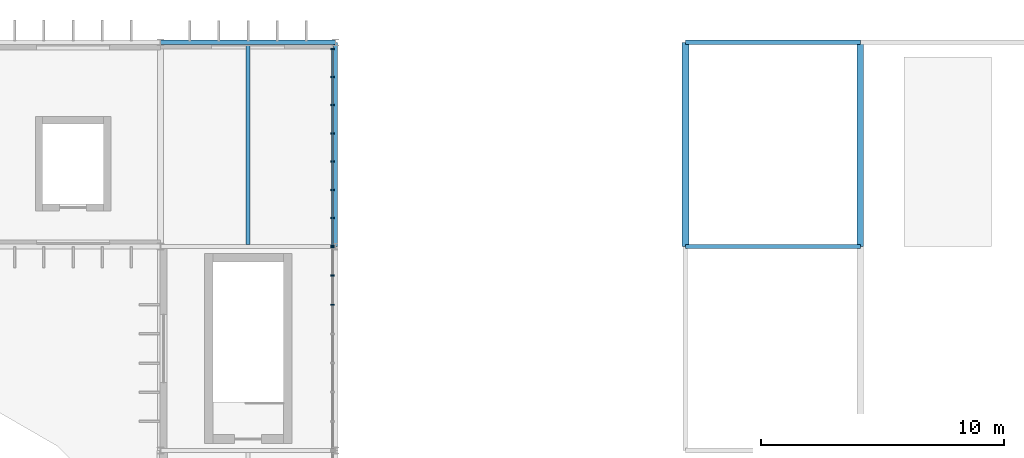
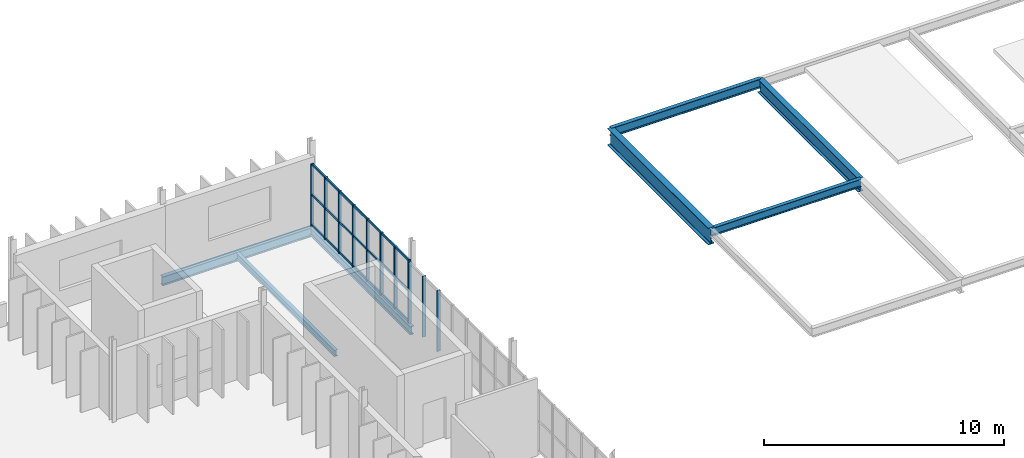
# One storey, part 10 of 18: 14 members, 7 beams, 2 elements without a shape of their own.
"""IFC4 building model written with IfcOpenShell, lengths in metres."""

from ifc_helpers import new_model, si_unit, direction, frame, origin, origin_2d, place, context, subcontext, project, spatial, rectangle, i_section, extrude, material, material_profile, profile_set, type_object, element, aggregate, save


model = new_model("IFC4")

# Units and contexts
model_context = context("Model", 3, precision=1e-05, world=origin(), true_north=direction((0.0, 1.0)))
body_context = subcontext(model_context, "Body", "Model", "MODEL_VIEW")
ifc_project = project(units=[si_unit("LENGTHUNIT", "METRE"), si_unit("AREAUNIT", "SQUARE_METRE"), si_unit("VOLUMEUNIT", "CUBIC_METRE"), si_unit("PLANEANGLEUNIT", "RADIAN"), si_unit("MASSUNIT", "GRAM", prefix="KILO")], contexts=[model_context])

# Site, building, storey
site_placement = place(None, origin())
site = spatial("IfcSite", under=ifc_project, at=site_placement, CompositionType="ELEMENT")
building_placement = place(site_placement, origin())
building = spatial("IfcBuilding", under=site, at=building_placement, Name="Qelthora Terrace Specialist Clinic", CompositionType="ELEMENT")
storey_placement = place(building_placement, frame((0.0, 0.0, 21.60009765625)))
storey = spatial("IfcBuildingStorey", under=building, at=storey_placement, Name="L05", CompositionType="ELEMENT", Elevation=21.60009765625)

# Beams
ifc_material_1 = material(Name="Steel S355", Category="steel")
ifc_material_profile_1 = material_profile(ifc_material_1, i_section(OverallWidth=0.178955078125, OverallDepth=0.409912109375, WebThickness=0.0087890625, FlangeThickness=0.014404296875, FilletRadius=0.011962890625, at=origin_2d()), Name="W410X67")
ifc_profile_set_1 = profile_set([ifc_material_profile_1], Name="Steel S355")
beam_type_1 = type_object("IfcBeamType", Name="BM-W410X67", PredefinedType="BEAM", material=ifc_profile_set_1)
beam_1_placement = place(storey_placement, frame((57.60009765625, 100.800048828125, -0.455078125), z_axis=(1.0, 0.0, 0.0), x_axis=(0.0, 1.0, 0.0)))
element("IfcBeam", 1, at=beam_1_placement, inside=storey, type_object=beam_type_1, Name="Girder BMX-L05-1326", PredefinedType="BEAM", context=body_context, shape_type="SweptSolid", body=[
    extrude(i_section(OverallWidth=0.178955078125, OverallDepth=0.409912109375, WebThickness=0.0087890625, FlangeThickness=0.014404296875, FilletRadius=0.011962890625, at=origin_2d()), origin(), (0.0, 0.0, 1.0), 7.199951171875),
])
ifc_material_profile_2 = material_profile(ifc_material_1, i_section(OverallWidth=0.179931640625, OverallDepth=0.4130859375, WebThickness=0.009765625, FlangeThickness=0.01611328125, FilletRadius=0.011962890625, at=origin_2d()), Name="W410X75")
ifc_profile_set_2 = profile_set([ifc_material_profile_2], Name="Steel S355")
beam_type_2 = type_object("IfcBeamType", Name="BM-W410X75", PredefinedType="BEAM", material=ifc_profile_set_2)
beam_2_placement = place(storey_placement, frame((43.199951171875, 100.800048828125, -0.45654296875), z_axis=(0.0, 1.0, 0.0), x_axis=(-1.0, 0.0, 0.0)))
element("IfcBeam", 2, at=beam_2_placement, inside=storey, type_object=beam_type_2, Name="Girder BMY-L05-1369", PredefinedType="BEAM", context=body_context, shape_type="SweptSolid", body=[
    extrude(i_section(OverallWidth=0.179931640625, OverallDepth=0.4130859375, WebThickness=0.009765625, FlangeThickness=0.01611328125, FilletRadius=0.011962890625, at=origin_2d()), origin(), (0.0, 0.0, 1.0), 8.39990234375),
])
ifc_material_profile_3 = material_profile(ifc_material_1, i_section(OverallWidth=0.256103515625, OverallDepth=0.693115234375, WebThickness=0.014404296875, FlangeThickness=0.023681640625, FilletRadius=0.01806640625, at=origin_2d()), Name="W690X170")
ifc_profile_set_3 = profile_set([ifc_material_profile_3], Name="Steel S355")
beam_type_3 = type_object("IfcBeamType", Name="BM-W690X170", PredefinedType="BEAM", material=ifc_profile_set_3)
beam_3_placement = place(storey_placement, frame((64.800048828125, 100.800048828125, -0.5966796875), z_axis=(0.0, 1.0, 0.0), x_axis=(-1.0, 0.0, 0.0)))
element("IfcBeam", 3, at=beam_3_placement, inside=storey, type_object=beam_type_3, Name="Girder BMY-L05-1373", PredefinedType="BEAM", context=body_context, shape_type="SweptSolid", body=[
    extrude(i_section(OverallWidth=0.256103515625, OverallDepth=0.693115234375, WebThickness=0.014404296875, FlangeThickness=0.023681640625, FilletRadius=0.01806640625, at=origin_2d()), origin(), (0.0, 0.0, 1.0), 8.39990234375),
])
ifc_material_profile_4 = material_profile(ifc_material_1, i_section(OverallWidth=0.2939453125, OverallDepth=0.85107421875, WebThickness=0.01611328125, FlangeThickness=0.02685546875, FilletRadius=0.02001953125, at=origin_2d()), Name="W840X226")
ifc_profile_set_4 = profile_set([ifc_material_profile_4], Name="Steel S355")
beam_type_4 = type_object("IfcBeamType", Name="BM-W840X226", PredefinedType="BEAM", material=ifc_profile_set_4)
beam_4_placement = place(storey_placement, frame((57.60009765625, 100.800048828125, -0.675537109375), z_axis=(0.0, 1.0, 0.0), x_axis=(-1.0, 0.0, 0.0)))
element("IfcBeam", 4, at=beam_4_placement, inside=storey, type_object=beam_type_4, Name="Girder BMY-L05-1371", PredefinedType="BEAM", context=body_context, shape_type="SweptSolid", body=[
    extrude(i_section(OverallWidth=0.2939453125, OverallDepth=0.85107421875, WebThickness=0.01611328125, FlangeThickness=0.02685546875, FilletRadius=0.02001953125, at=origin_2d()), origin(), (0.0, 0.0, 1.0), 8.39990234375),
])

# Curtain wall, members
ifc_material_2 = material(Name="Aluminium anodized bronze", Category="aluminium")
curtain_wall_type = type_object("IfcCurtainWallType", Name="CW-NRS-L05", PredefinedType="NOTDEFINED", material=ifc_material_2)
curtain_wall_1_placement = place(storey_placement, origin())
curtain_wall_1 = element("IfcCurtainWall", 5, at=curtain_wall_1_placement, inside=storey, type_object=curtain_wall_type, Name="Curtain wall CW-L05-270", PredefinedType="NOTDEFINED")
ifc_material_profile_5 = material_profile(ifc_material_2, rectangle(XDim=0.06005859375, YDim=0.14990234375, at=origin_2d()), Name="CWM60X150")
ifc_profile_set_5 = profile_set([ifc_material_profile_5], Name="Aluminium anodized bronze")
member_type_1 = type_object("IfcMemberType", Name="CWM-60X150", PredefinedType="MULLION", material=ifc_profile_set_5)
member_1_placement = place(storey_placement, frame((43.080078125, 98.39990234375, 0.0), z_axis=(0.0, 0.0, 1.0), x_axis=(0.0, 1.0, 0.0)))
member_1 = element("IfcMember", 6, at=member_1_placement, type_object=member_type_1, Name="CW-L05-270 mullion 6", PredefinedType="MULLION", context=body_context, shape_type="SweptSolid", body=[
    extrude(rectangle(XDim=0.06005859375, YDim=0.14990234375, at=origin_2d()), origin(), (0.0, 0.0, 1.0), 3.0908203125),
])
member_2_placement = place(storey_placement, frame((43.080078125, 99.60009765625, 0.0), z_axis=(0.0, 0.0, 1.0), x_axis=(0.0, 1.0, 0.0)))
member_2 = element("IfcMember", 7, at=member_2_placement, type_object=member_type_1, Name="CW-L05-270 mullion 7", PredefinedType="MULLION", context=body_context, shape_type="SweptSolid", body=[
    extrude(rectangle(XDim=0.06005859375, YDim=0.14990234375, at=origin_2d()), origin(), (0.0, 0.0, 1.0), 3.0908203125),
])
member_3_placement = place(storey_placement, frame((43.080078125, 100.780029296875, 0.0), z_axis=(0.0, 0.0, 1.0), x_axis=(0.0, 1.0, 0.0)))
member_3 = element("IfcMember", 8, at=member_3_placement, type_object=member_type_1, Name="CW-L05-270 mullion 8", PredefinedType="MULLION", context=body_context, shape_type="SweptSolid", body=[
    extrude(rectangle(XDim=0.06005859375, YDim=0.14990234375, at=origin_2d()), origin(), (0.0, 0.0, 1.0), 3.0908203125),
])
aggregate(curtain_wall_1, [member_1, member_2, member_3])

curtain_wall_2_placement = place(storey_placement, origin())
curtain_wall_2 = element("IfcCurtainWall", 9, at=curtain_wall_2_placement, inside=storey, type_object=curtain_wall_type, Name="Curtain wall CW-L05-271", PredefinedType="NOTDEFINED")
member_4_placement = place(storey_placement, frame((43.080078125, 100.820068359375, 0.0), z_axis=(0.0, 0.0, 1.0), x_axis=(0.0, 1.0, 0.0)))
member_4 = element("IfcMember", 10, at=member_4_placement, type_object=member_type_1, Name="CW-L05-271 mullion 1", PredefinedType="MULLION", context=body_context, shape_type="SweptSolid", body=[
    extrude(rectangle(XDim=0.06005859375, YDim=0.14990234375, at=origin_2d()), origin(), (0.0, 0.0, 1.0), 3.171875),
])
member_5_placement = place(storey_placement, frame((43.080078125, 101.962890625, 0.0), z_axis=(0.0, 0.0, 1.0), x_axis=(0.0, 1.0, 0.0)))
member_5 = element("IfcMember", 11, at=member_5_placement, type_object=member_type_1, Name="CW-L05-271 mullion 2", PredefinedType="MULLION", context=body_context, shape_type="SweptSolid", body=[
    extrude(rectangle(XDim=0.06005859375, YDim=0.14990234375, at=origin_2d()), origin(), (0.0, 0.0, 1.0), 3.171875),
])
member_6_placement = place(storey_placement, frame((43.080078125, 103.125732421875, 0.0), z_axis=(0.0, 0.0, 1.0), x_axis=(0.0, 1.0, 0.0)))
member_6 = element("IfcMember", 12, at=member_6_placement, type_object=member_type_1, Name="CW-L05-271 mullion 3", PredefinedType="MULLION", context=body_context, shape_type="SweptSolid", body=[
    extrude(rectangle(XDim=0.06005859375, YDim=0.14990234375, at=origin_2d()), origin(), (0.0, 0.0, 1.0), 3.171875),
])
member_7_placement = place(storey_placement, frame((43.080078125, 104.28857421875, 0.0), z_axis=(0.0, 0.0, 1.0), x_axis=(0.0, 1.0, 0.0)))
member_7 = element("IfcMember", 13, at=member_7_placement, type_object=member_type_1, Name="CW-L05-271 mullion 4", PredefinedType="MULLION", context=body_context, shape_type="SweptSolid", body=[
    extrude(rectangle(XDim=0.06005859375, YDim=0.14990234375, at=origin_2d()), origin(), (0.0, 0.0, 1.0), 3.171875),
])
member_8_placement = place(storey_placement, frame((43.080078125, 105.451416015625, 0.0), z_axis=(0.0, 0.0, 1.0), x_axis=(0.0, 1.0, 0.0)))
member_8 = element("IfcMember", 14, at=member_8_placement, type_object=member_type_1, Name="CW-L05-271 mullion 5", PredefinedType="MULLION", context=body_context, shape_type="SweptSolid", body=[
    extrude(rectangle(XDim=0.06005859375, YDim=0.14990234375, at=origin_2d()), origin(), (0.0, 0.0, 1.0), 3.171875),
])
member_9_placement = place(storey_placement, frame((43.080078125, 106.6142578125, 0.0), z_axis=(0.0, 0.0, 1.0), x_axis=(0.0, 1.0, 0.0)))
member_9 = element("IfcMember", 15, at=member_9_placement, type_object=member_type_1, Name="CW-L05-271 mullion 6", PredefinedType="MULLION", context=body_context, shape_type="SweptSolid", body=[
    extrude(rectangle(XDim=0.06005859375, YDim=0.14990234375, at=origin_2d()), origin(), (0.0, 0.0, 1.0), 3.171875),
])
member_10_placement = place(storey_placement, frame((43.080078125, 107.777099609375, 0.0), z_axis=(0.0, 0.0, 1.0), x_axis=(0.0, 1.0, 0.0)))
member_10 = element("IfcMember", 16, at=member_10_placement, type_object=member_type_1, Name="CW-L05-271 mullion 7", PredefinedType="MULLION", context=body_context, shape_type="SweptSolid", body=[
    extrude(rectangle(XDim=0.06005859375, YDim=0.14990234375, at=origin_2d()), origin(), (0.0, 0.0, 1.0), 3.171875),
])
member_11_placement = place(storey_placement, frame((43.080078125, 108.919921875, 0.0), z_axis=(0.0, 0.0, 1.0), x_axis=(0.0, 1.0, 0.0)))
member_11 = element("IfcMember", 17, at=member_11_placement, type_object=member_type_1, Name="CW-L05-271 mullion 8", PredefinedType="MULLION", context=body_context, shape_type="SweptSolid", body=[
    extrude(rectangle(XDim=0.06005859375, YDim=0.14990234375, at=origin_2d()), origin(), (0.0, 0.0, 1.0), 3.171875),
])
ifc_material_profile_6 = material_profile(ifc_material_2, rectangle(XDim=0.06005859375, YDim=0.110107421875, at=origin_2d()), Name="CWT60X110")
ifc_profile_set_6 = profile_set([ifc_material_profile_6], Name="Aluminium anodized bronze")
member_type_2 = type_object("IfcMemberType", Name="CWT-60X110", PredefinedType="USERDEFINED", material=ifc_profile_set_6)
member_12_placement = place(storey_placement, frame((43.080078125, 100.840087890625, 0.039794921875), z_axis=(0.0, 1.0, 0.0), x_axis=(-1.0, 0.0, 0.0)))
member_12 = element("IfcMember", 18, at=member_12_placement, type_object=member_type_2, Name="CW-L05-271 transom 1", ObjectType="TRANSOM", PredefinedType="USERDEFINED", context=body_context, shape_type="SweptSolid", body=[
    extrude(rectangle(XDim=0.06005859375, YDim=0.110107421875, at=origin_2d()), origin(), (0.0, 0.0, 1.0), 8.059814453125),
])
member_13_placement = place(storey_placement, frame((43.080078125, 100.840087890625, 1.5859375), z_axis=(0.0, 1.0, 0.0), x_axis=(-1.0, 0.0, 0.0)))
member_13 = element("IfcMember", 19, at=member_13_placement, type_object=member_type_2, Name="CW-L05-271 transom 2", ObjectType="TRANSOM", PredefinedType="USERDEFINED", context=body_context, shape_type="SweptSolid", body=[
    extrude(rectangle(XDim=0.06005859375, YDim=0.110107421875, at=origin_2d()), origin(), (0.0, 0.0, 1.0), 8.059814453125),
])
member_14_placement = place(storey_placement, frame((43.080078125, 100.840087890625, 3.1318359375), z_axis=(0.0, 1.0, 0.0), x_axis=(-1.0, 0.0, 0.0)))
member_14 = element("IfcMember", 20, at=member_14_placement, type_object=member_type_2, Name="CW-L05-271 transom 3", ObjectType="TRANSOM", PredefinedType="USERDEFINED", context=body_context, shape_type="SweptSolid", body=[
    extrude(rectangle(XDim=0.06005859375, YDim=0.110107421875, at=origin_2d()), origin(), (0.0, 0.0, 1.0), 8.059814453125),
])
aggregate(curtain_wall_2, [member_4, member_5, member_6, member_7, member_8, member_9, member_10, member_11, member_12, member_13, member_14])

# Beams
ifc_material_profile_7 = material_profile(ifc_material_1, i_section(OverallWidth=0.1669921875, OverallDepth=0.31689453125, WebThickness=0.007568359375, FlangeThickness=0.01318359375, FilletRadius=0.010009765625, at=origin_2d()), Name="W310X52")
ifc_profile_set_7 = profile_set([ifc_material_profile_7], Name="Steel S355")
beam_type_5 = type_object("IfcBeamType", Name="JST-W310X52", PredefinedType="JOIST", material=ifc_profile_set_7)
beam_5_placement = place(storey_placement, frame((39.60009765625, 100.889892578125, -0.40869140625), z_axis=(0.0, 1.0, 0.0), x_axis=(-1.0, 0.0, 0.0)))
element("IfcBeam", 21, at=beam_5_placement, inside=storey, type_object=beam_type_5, Name="Composite floor joist JST-L05-0297", PredefinedType="JOIST", context=body_context, shape_type="SweptSolid", body=[
    extrude(i_section(OverallWidth=0.1669921875, OverallDepth=0.31689453125, WebThickness=0.007568359375, FlangeThickness=0.01318359375, FilletRadius=0.010009765625, at=origin_2d()), origin(), (0.0, 0.0, 1.0), 8.214599609375),
])
ifc_material_profile_8 = material_profile(ifc_material_1, i_section(OverallWidth=0.19091796875, OverallDepth=0.4599609375, WebThickness=0.010009765625, FlangeThickness=0.01611328125, FilletRadius=0.012939453125, at=origin_2d()), Name="W460X82")
ifc_profile_set_8 = profile_set([ifc_material_profile_8], Name="Steel S355")
beam_type_6 = type_object("IfcBeamType", Name="SPD-W460X82", PredefinedType="SPANDREL", material=ifc_profile_set_8)
for number, where, z_axis, x_axis, name in (
    (22, (36.0, 109.199951171875, -0.47998046875), (1.0, 0.0, 0.0), (0.0, 1.0, 0.0), "Girder BMX-L05-1335"),
    (23, (57.60009765625, 109.199951171875, -0.47998046875), (1.0, 0.0, 0.0), (0.0, 1.0, 0.0), "Girder BMX-L05-1336"),
):
    element("IfcBeam", number, at=place(storey_placement, frame(where, z_axis=z_axis, x_axis=x_axis)), inside=storey, type_object=beam_type_6, Name=name, PredefinedType="SPANDREL", context=body_context, shape_type="SweptSolid", body=[
        extrude(i_section(OverallWidth=0.19091796875, OverallDepth=0.4599609375, WebThickness=0.010009765625, FlangeThickness=0.01611328125, FilletRadius=0.012939453125, at=origin_2d()), origin(), (0.0, 0.0, 1.0), 7.199951171875),
    ])

save(model, "model.ifc")
